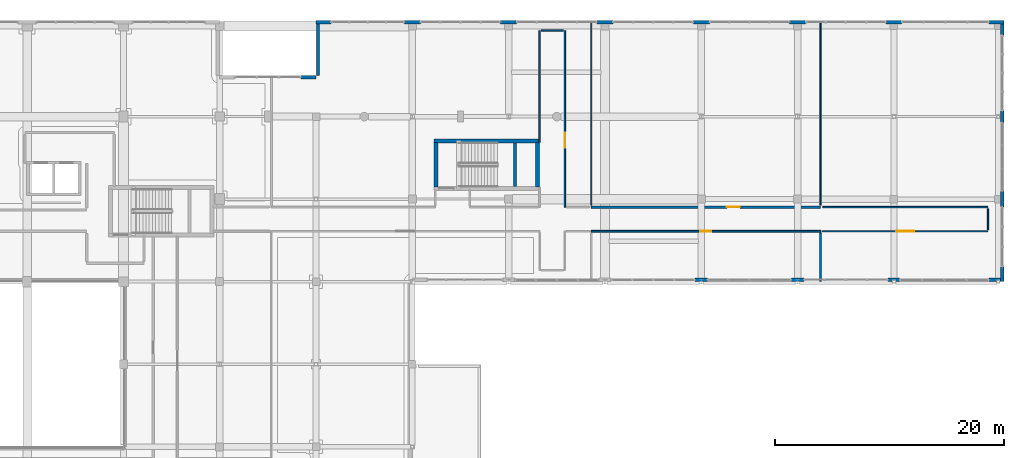
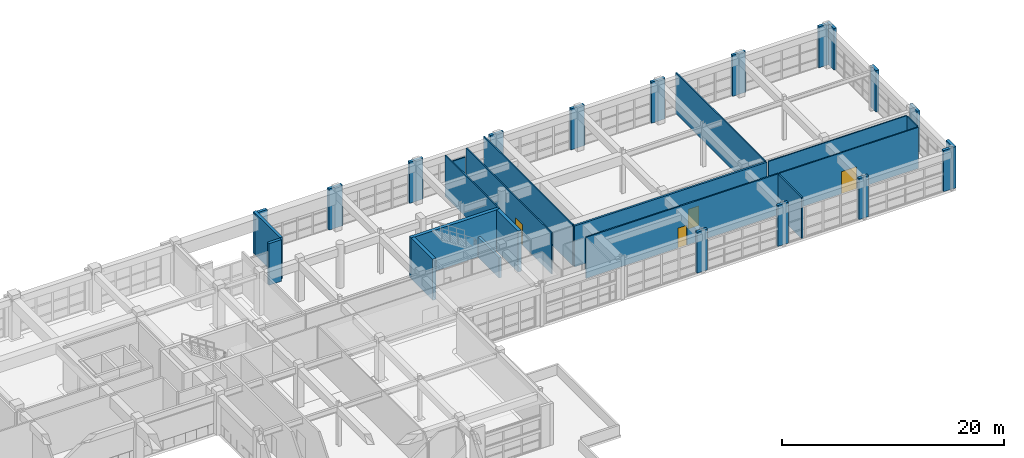
# One storey, part 111 of 123: 33 walls, 4 doors, 4 openings.
"""IFC4 building model written with IfcOpenShell, lengths in metres."""

import ifcopenshell
import ifcopenshell.guid

model = None  # the IFC model being written
_history = None  # IfcOwnerHistory: only IFC2X3 demands one
_inside = {}  # id of a spatial element -> (the spatial element, [elements in it])
_under = {}  # id of a project, library or spatial element -> (it, [spatial elements below it])
_declared = {}  # id of a project -> (the project, [libraries it declares])
_typed = {}  # id of a type object -> (the type object, [elements of that type])
_made_of = {}  # id of a material, layer set ... -> (it, [elements and type objects made of it])


def new_model(schema):
    """Start an empty IFC model of exactly this schema.

    Asked for "IFC4X3", IfcOpenShell would pick the latest addendum, in which some entities
    have other attributes; the version numbers below select the first issue.
    IFC2X3 requires an IfcOwnerHistory on every rooted entity: one is made here for all.
    """
    global model, _history
    if schema == "IFC4X3":
        model = ifcopenshell.file(schema_version=(4, 3, 0, 0))
    else:
        model = ifcopenshell.file(schema=schema)
    _inside.clear()
    _under.clear()
    _declared.clear()
    _typed.clear()
    _made_of.clear()
    _history = None
    if model.schema == "IFC2X3":
        org = make("IfcOrganization", Name="unknown")
        user = make(
            "IfcPersonAndOrganization",
            ThePerson=make("IfcPerson", FamilyName="unknown"),
            TheOrganization=org,
        )
        app = make(
            "IfcApplication",
            ApplicationDeveloper=org,
            Version="unknown",
            ApplicationFullName="unknown",
            ApplicationIdentifier="unknown",
        )
        _history = make(
            "IfcOwnerHistory",
            OwningUser=user,
            OwningApplication=app,
            ChangeAction="ADDED",
            CreationDate=0,
        )
    return model


def make(cls, **values):
    """One entity of the class cls with the attributes given. An attribute that is None is left unset."""
    return model.create_entity(
        cls, **{name: value for name, value in values.items() if value is not None}
    )


def rooted(cls, **values):
    """An entity with a GlobalId (a new one), such as an element, a storey or a relation."""
    return make(cls, GlobalId=ifcopenshell.guid.new(), OwnerHistory=_history, **values)


def si_unit(unit_type, name, prefix=None):
    """IfcSIUnit, for example si_unit("LENGTHUNIT", "METRE", prefix="MILLI")."""
    return make("IfcSIUnit", UnitType=unit_type, Prefix=prefix, Name=name)


def assignment(units):
    """IfcUnitAssignment: the units of a project."""
    return None if units is None else make("IfcUnitAssignment", Units=units)


def point(xyz):
    """IfcCartesianPoint."""
    return None if xyz is None else make("IfcCartesianPoint", Coordinates=xyz)


def direction(xyz):
    """IfcDirection."""
    return None if xyz is None else make("IfcDirection", DirectionRatios=xyz)


def frame(location, z_axis=None, x_axis=None):
    """IfcAxis2Placement3D, a coordinate frame: its origin and axes. An axis left out is left unset."""
    return make(
        "IfcAxis2Placement3D",
        Location=point(location),
        Axis=direction(z_axis),
        RefDirection=direction(x_axis),
    )


def frame_2d(location, x_axis=None):
    """IfcAxis2Placement2D, a coordinate frame in the plane: its origin and x axis."""
    return make(
        "IfcAxis2Placement2D", Location=point(location), RefDirection=direction(x_axis)
    )


def origin():
    """The frame at (0, 0, 0) with its axes left unset."""
    return frame((0.0, 0.0, 0.0))


def place(relative_to, where):
    """IfcLocalPlacement: puts the frame where relative to a parent placement (None: the world)."""
    return make(
        "IfcLocalPlacement", PlacementRelTo=relative_to, RelativePlacement=where
    )


def context(
    kind, dimensions, precision=None, world=None, true_north=None, identifier=None
):
    """IfcGeometricRepresentationContext, for example the 3D "Model" context."""
    return make(
        "IfcGeometricRepresentationContext",
        ContextIdentifier=identifier,
        ContextType=kind,
        CoordinateSpaceDimension=dimensions,
        Precision=precision,
        WorldCoordinateSystem=world,
        TrueNorth=true_north,
    )


def subcontext(parent, identifier, kind, view, scale=None):
    """IfcGeometricRepresentationSubContext, for example "Body" below "Model"."""
    return make(
        "IfcGeometricRepresentationSubContext",
        ContextIdentifier=identifier,
        ContextType=kind,
        ParentContext=parent,
        TargetScale=scale,
        TargetView=view,
    )


def project(units=None, contexts=None):
    """IfcProject with its units and contexts."""
    return rooted(
        "IfcProject",
        Name="project",
        RepresentationContexts=contexts,
        UnitsInContext=assignment(units),
    )


def spatial(cls, under=None, at=None, **own):
    """A site, building, storey or space (cls), placed at a placement, below another one or the project."""
    s = rooted(cls, ObjectPlacement=at, **own)
    if under is not None:
        _under.setdefault(under.id(), (under, []))[1].append(s)
    return s


def profile(cls, at=None, kind="AREA", **sizes):
    """A parametric profile (cls). Its sizes go by their IFC names, for example OverallWidth=200.0."""
    return make(cls, ProfileType=kind, Position=at, **sizes)


def rectangle(**sizes):
    """IfcRectangleProfileDef."""
    return profile("IfcRectangleProfileDef", **sizes)


def extrude(swept, where, along, depth):
    """IfcExtrudedAreaSolid: the profile swept, set in the frame where, extruded along a direction by depth."""
    return make(
        "IfcExtrudedAreaSolid",
        SweptArea=swept,
        Position=where,
        ExtrudedDirection=direction(along),
        Depth=depth,
    )


def shape(context_of_items, identifier, shape_type, items):
    """IfcShapeRepresentation: the items that make up one representation, for example the "Body"."""
    return make(
        "IfcShapeRepresentation",
        ContextOfItems=context_of_items,
        RepresentationIdentifier=identifier,
        RepresentationType=shape_type,
        Items=items,
    )


def material(Name=None, Category=None):
    """IfcMaterial."""
    return make("IfcMaterial", Name=Name, Category=Category)


def layer(
    of_material, thickness, ventilated=None, Name=None, Category=None, Priority=None
):
    """IfcMaterialLayer: one layer of a wall or slab, of a material (None: an air gap)."""
    return make(
        "IfcMaterialLayer",
        Material=of_material,
        LayerThickness=thickness,
        IsVentilated=ventilated,
        Name=Name,
        Category=Category,
        Priority=Priority,
    )


def layer_set(layers, Name=None):
    """IfcMaterialLayerSet."""
    return make("IfcMaterialLayerSet", MaterialLayers=layers, LayerSetName=Name)


def made_of(thing, what):
    """Note that an element or type object is made of a material, layer set ...; save() writes the relation."""
    if what is not None:
        _made_of.setdefault(what.id(), (what, []))[1].append(thing)
    return thing


def type_object(cls, material=None, **own):
    """A type object (cls), such as IfcWallType, which elements share."""
    return made_of(rooted(cls, **own), material)


def element(
    cls,
    number,
    at=None,
    inside=None,
    cuts=None,
    type_object=None,
    material=None,
    context=None,
    identifier="Body",
    shape_type=None,
    held_by="IfcProductDefinitionShape",
    body=None,
    shapes=None,
    **own,
):
    """One element of the class cls, such as IfcWall. Its Tag is "e" and its number.

    at: its placement. inside: the storey or other place that contains it. cuts: it is an
    opening in that element (IfcRelVoidsElement). A single representation is given by context,
    identifier, shape_type and body (its items); several are given by shapes. held_by: the class
    of the entity that holds the representations. save() writes the other relations.
    """
    e = rooted(cls, Tag="e%d" % number, ObjectPlacement=at, **own)
    if body is not None:
        shapes = [shape(context, identifier, shape_type, body)]
    if shapes is not None:
        e.Representation = make(held_by, Representations=shapes)
    if inside is not None:
        _inside.setdefault(inside.id(), (inside, []))[1].append(e)
    if cuts is not None:
        rooted(
            "IfcRelVoidsElement", RelatingBuildingElement=cuts, RelatedOpeningElement=e
        )
    if type_object is not None:
        _typed.setdefault(type_object.id(), (type_object, []))[1].append(e)
    return made_of(e, material)


def fill(opening, filler):
    """IfcRelFillsElement: the door or window that sits in an opening."""
    return rooted(
        "IfcRelFillsElement",
        RelatingOpeningElement=opening,
        RelatedBuildingElement=filler,
    )


def aggregate(whole, parts):
    """IfcRelAggregates: a whole, such as a stair, and the parts it consists of."""
    return rooted("IfcRelAggregates", RelatingObject=whole, RelatedObjects=parts)


def save(model, path):
    """Write the relations noted so far, then the file.

    IfcRelAggregates (storeys below a building ...), IfcRelContainedInSpatialStructure (elements
    in a storey), IfcRelDefinesByType, IfcRelAssociatesMaterial and IfcRelDeclares: one each for
    every whole, place, type object, material and project.
    """
    for whole, parts in _under.values():
        aggregate(whole, parts)
    for where, things in _inside.values():
        rooted(
            "IfcRelContainedInSpatialStructure",
            RelatedElements=things,
            RelatingStructure=where,
        )
    for kind, things in _typed.values():
        rooted("IfcRelDefinesByType", RelatedObjects=things, RelatingType=kind)
    for what, things in _made_of.values():
        rooted("IfcRelAssociatesMaterial", RelatedObjects=things, RelatingMaterial=what)
    for by, libraries in _declared.values():
        rooted("IfcRelDeclares", RelatingContext=by, RelatedDefinitions=libraries)
    model.write(path)


model = new_model("IFC4")

# Units and contexts
model_context = context("Model", 3, precision=1e-05, world=origin(), true_north=direction((0.0, 1.0)))
body_context = subcontext(model_context, "Body", "Model", "MODEL_VIEW")
ifc_project = project(units=[si_unit("LENGTHUNIT", "METRE"), si_unit("AREAUNIT", "SQUARE_METRE"), si_unit("VOLUMEUNIT", "CUBIC_METRE"), si_unit("PLANEANGLEUNIT", "RADIAN"), si_unit("MASSUNIT", "GRAM", prefix="KILO")], contexts=[model_context])

# Site, building, storey
site_placement = place(None, origin())
site = spatial("IfcSite", under=ifc_project, at=site_placement, CompositionType="ELEMENT")
building_placement = place(site_placement, origin())
building = spatial("IfcBuilding", under=site, at=building_placement, Name="Quendrovan Civic Courthouse", CompositionType="ELEMENT")
storey_placement = place(building_placement, frame((0.0, 0.0, 5.39990234375)))
storey = spatial("IfcBuildingStorey", under=building, at=storey_placement, Name="L02", CompositionType="ELEMENT", Elevation=5.39990234375)

# Wall, opening, door
ifc_material_1 = material(Name="Acoustic gypsum stud partition")
ifc_layer_1 = layer(ifc_material_1, 0.139892578125, Name="Acoustic gypsum stud partition")
ifc_layer_set_1 = layer_set([ifc_layer_1], Name="Acoustic gypsum stud partition")
wall_type_1 = type_object("IfcWallType", Name="WL-CHM-140", PredefinedType="PARTITIONING", material=ifc_layer_set_1)
wall_1_placement = place(storey_placement, frame((124.800048828125, 92.0, 0.0), z_axis=(0.0, 0.0, 1.0), x_axis=(1.0, 0.0, 0.0)))
wall_1 = element("IfcWall", 1, at=wall_1_placement, inside=storey, type_object=wall_type_1, Name="L02 Civil Clerk Workroom Partition 0300", PredefinedType="PARTITIONING", context=body_context, shape_type="SweptSolid", body=[
    extrude(rectangle(XDim=20.0, YDim=0.139892578125, at=frame_2d((10.0, 0.0))), origin(), (0.0, 0.0, 1.0), 4.52001953125),
])
opening_1_placement = place(wall_1_placement, frame((9.530029296875, 0.0, 0.0)))
opening_1 = element("IfcOpeningElement", 2, at=opening_1_placement, cuts=wall_1, Name="Opening D-L02-052", PredefinedType="OPENING", context=body_context, shape_type="SweptSolid", body=[
    extrude(rectangle(XDim=0.93994140625, YDim=2.179931640625, at=frame_2d((0.469970703125, 1.08984375))), frame((0.0, 0.080078125, 0.0), z_axis=(0.0, -1.0, 0.0), x_axis=(1.0, 0.0, 0.0)), (0.0, 0.0, 1.0), 0.159912109375),
])
ifc_material_2 = material(Name="Solid core timber office door", Category="wood")
door_type_1 = type_object("IfcDoorType", Name="DR-OFF-940", OperationType="NOTDEFINED", PredefinedType="DOOR", material=ifc_material_2)
door_1_placement = place(opening_1_placement, origin())
door_1 = element("IfcDoor", 3, at=door_1_placement, inside=storey, type_object=door_type_1, Name="L02 Civil Clerk Workroom Door D-L02-052", OperationType="SINGLE_SWING_LEFT", OverallHeight=2.179931640625, OverallWidth=0.93994140625, PredefinedType="DOOR", context=body_context, shape_type="SweptSolid", body=[
    extrude(rectangle(XDim=0.93994140625, YDim=2.179931640625, at=frame_2d((0.469970703125, 1.08984375))), frame((0.0, 0.02490234375, 0.0), z_axis=(0.0, -1.0, 0.0), x_axis=(1.0, 0.0, 0.0)), (0.0, 0.0, 1.0), 0.050048828125),
])
fill(opening_1, door_1)

# Walls
wall_2_placement = place(storey_placement, frame((144.800048828125, 91.85009765625, 0.0), z_axis=(0.0, 0.0, 1.0), x_axis=(0.0, -1.0, 0.0)))
element("IfcWall", 4, at=wall_2_placement, inside=storey, type_object=wall_type_1, Name="L02 Civil Clerk Workroom Partition 0363", PredefinedType="PARTITIONING", context=body_context, shape_type="SweptSolid", body=[
    extrude(rectangle(XDim=4.190185546875, YDim=0.139892578125, at=frame_2d((2.09521484375, 0.0))), origin(), (0.0, 0.0, 1.0), 4.52001953125),
])
ifc_material_3 = material(Name="Concrete C45/55", Category="concrete")
ifc_layer_2 = layer(ifc_material_3, 0.35009765625, Name="Concrete C45/55")
ifc_layer_set_2 = layer_set([ifc_layer_2], Name="Concrete C45/55")
wall_type_2 = type_object("IfcWallType", Name="WL-CORE-350", PredefinedType="SHEAR", material=ifc_layer_set_2)
wall_3_placement = place(storey_placement, frame((120.31005859375, 99.885009765625, 0.0), z_axis=(0.0, 0.0, 1.0), x_axis=(-1.0, 0.0, 0.0)))
element("IfcWall", 5, at=wall_3_placement, inside=storey, type_object=wall_type_2, Name="L02 Core Shear Wall ST6-N", PredefinedType="SHEAR", context=body_context, shape_type="SweptSolid", body=[
    extrude(rectangle(XDim=9.219970703125, YDim=0.35009765625, at=frame_2d((4.60986328125, 0.0))), origin(), (0.0, 0.0, 1.0), 4.52001953125),
])
for number, where, z_axis, x_axis, name in (
    (6, (111.264892578125, 95.85009765625, 0.0), (0.0, 0.0, 1.0), (0.0, 1.0, 0.0), "L02 Core Shear Wall ST6-W"),
    (7, (120.135009765625, 99.75, 0.0), (0.0, 0.0, 1.0), (0.0, -1.0, 0.0), "L02 Core Shear Wall ST6-E"),
):
    element("IfcWall", number, at=place(storey_placement, frame(where, z_axis=z_axis, x_axis=x_axis)), inside=storey, type_object=wall_type_2, Name=name, PredefinedType="SHEAR", context=body_context, shape_type="SweptSolid", body=[
        extrude(rectangle(XDim=3.89990234375, YDim=0.35009765625, at=frame_2d((1.949951171875, 0.0))), origin(), (0.0, 0.0, 1.0), 4.52001953125),
    ])

# Wall, opening, door
ifc_material_4 = material(Name="Concrete C40/50", Category="concrete")
ifc_layer_3 = layer(ifc_material_4, 0.199951171875, Name="Concrete C40/50")
ifc_layer_set_3 = layer_set([ifc_layer_3], Name="Concrete C40/50")
wall_type_3 = type_object("IfcWallType", Name="WL-CUST-200", PredefinedType="PARTITIONING", material=ifc_layer_set_3)
wall_4_placement = place(storey_placement, frame((144.800048828125, 94.10009765625, 0.0), z_axis=(0.0, 0.0, 1.0), x_axis=(-1.0, 0.0, 0.0)))
wall_4 = element("IfcWall", 8, at=wall_4_placement, inside=storey, type_object=wall_type_3, Name="L02 Custody Suite Intake and Attorney Booths Partition 0301", PredefinedType="PARTITIONING", context=body_context, shape_type="SweptSolid", body=[
    extrude(rectangle(XDim=20.0, YDim=0.199951171875, at=frame_2d((10.0, 0.0))), origin(), (0.0, 0.0, 1.0), 4.52001953125),
])
opening_2_placement = place(wall_4_placement, frame((7.0400390625, 0.0, 0.0)))
opening_2 = element("IfcOpeningElement", 9, at=opening_2_placement, cuts=wall_4, Name="Opening D-L02-057", PredefinedType="OPENING", context=body_context, shape_type="SweptSolid", body=[
    extrude(rectangle(XDim=1.1201171875, YDim=2.14990234375, at=frame_2d((0.56005859375, 1.074951171875))), frame((0.0, 0.10986328125, 0.0), z_axis=(0.0, -1.0, 0.0), x_axis=(1.0, 0.0, 0.0)), (0.0, 0.0, 1.0), 0.219970703125),
])
ifc_material_5 = material(Name="Heavy-gauge security steel door", Category="steel")
door_type_2 = type_object("IfcDoorType", Name="DR-CUST-1120", OperationType="NOTDEFINED", PredefinedType="DOOR", material=ifc_material_5)
door_2_placement = place(opening_2_placement, origin())
door_2 = element("IfcDoor", 10, at=door_2_placement, inside=storey, type_object=door_type_2, Name="L02 Custody Suite Intake and Attorney Booths Door D-L02-057", OperationType="SINGLE_SWING_RIGHT", OverallHeight=2.14990234375, OverallWidth=1.1201171875, PredefinedType="DOOR", context=body_context, shape_type="SweptSolid", body=[
    extrude(rectangle(XDim=1.1201171875, YDim=2.14990234375, at=frame_2d((0.56005859375, 1.074951171875))), frame((0.0, 0.02490234375, 0.0), z_axis=(0.0, -1.0, 0.0), x_axis=(1.0, 0.0, 0.0)), (0.0, 0.0, 1.0), 0.050048828125),
])
fill(opening_2, door_2)

# Walls
ifc_material_6 = material(Name="Precast concrete C45/55", Category="concrete")
ifc_layer_4 = layer(ifc_material_6, 0.2900390625, Name="Precast concrete C45/55")
ifc_layer_set_4 = layer_set([ifc_layer_4], Name="Precast concrete C45/55")
wall_type_4 = type_object("IfcWallType", Name="WL-EXT-PC290", PredefinedType="SOLIDWALL", material=ifc_layer_set_4)
wall_5_placement = place(storey_placement, frame((99.5, 105.43505859375, 0.0), z_axis=(0.0, 0.0, 1.0), x_axis=(1.0, 0.0, 0.0)))
element("IfcWall", 11, at=wall_5_placement, inside=storey, type_object=wall_type_4, Name="L02 Exterior Pier Wall 212", PredefinedType="SOLIDWALL", context=body_context, shape_type="SweptSolid", body=[
    extrude(rectangle(XDim=1.300048828125, YDim=0.2900390625, at=frame_2d((0.64990234375, 0.0))), origin(), (0.0, 0.0, 1.0), 4.580078125),
])
wall_6_placement = place(storey_placement, frame((100.965087890625, 105.60009765625, 0.0), z_axis=(0.0, 0.0, 1.0), x_axis=(0.0, 1.0, 0.0)))
element("IfcWall", 12, at=wall_6_placement, inside=storey, type_object=wall_type_4, Name="L02 Exterior Civic Portal Wall 213", PredefinedType="SOLIDWALL", context=body_context, shape_type="SweptSolid", body=[
    extrude(rectangle(XDim=4.7998046875, YDim=0.2900390625, at=frame_2d((2.39990234375, 0.0))), origin(), (0.0, 0.0, 1.0), 4.580078125),
])
wall_7_placement = place(storey_placement, frame((100.800048828125, 110.235107421875, 0.0), z_axis=(0.0, 0.0, 1.0), x_axis=(1.0, 0.0, 0.0)))
element("IfcWall", 13, at=wall_7_placement, inside=storey, type_object=wall_type_4, Name="L02 Exterior Pier Wall 214", PredefinedType="SOLIDWALL", context=body_context, shape_type="SweptSolid", body=[
    extrude(rectangle(XDim=1.300048828125, YDim=0.2900390625, at=frame_2d((0.64990234375, 0.0))), origin(), (0.0, 0.0, 1.0), 4.52001953125),
])
wall_8_placement = place(storey_placement, frame((108.5, 110.235107421875, 0.0), z_axis=(0.0, 0.0, 1.0), x_axis=(1.0, 0.0, 0.0)))
element("IfcWall", 14, at=wall_8_placement, inside=storey, type_object=wall_type_4, Name="L02 Exterior Pier Wall 215", PredefinedType="SOLIDWALL", context=body_context, shape_type="SweptSolid", body=[
    extrude(rectangle(XDim=1.39990234375, YDim=0.2900390625, at=frame_2d((0.699951171875, 0.0))), origin(), (0.0, 0.0, 1.0), 4.52001953125),
])
wall_9_placement = place(storey_placement, frame((116.89990234375, 110.235107421875, 0.0), z_axis=(0.0, 0.0, 1.0), x_axis=(1.0, 0.0, 0.0)))
element("IfcWall", 15, at=wall_9_placement, inside=storey, type_object=wall_type_4, Name="L02 Exterior Pier Wall 216", PredefinedType="SOLIDWALL", context=body_context, shape_type="SweptSolid", body=[
    extrude(rectangle(XDim=1.400146484375, YDim=0.2900390625, at=frame_2d((0.7001953125, 0.0))), origin(), (0.0, 0.0, 1.0), 4.52001953125),
])
wall_10_placement = place(storey_placement, frame((125.300048828125, 110.235107421875, 0.0), z_axis=(0.0, 0.0, 1.0), x_axis=(1.0, 0.0, 0.0)))
element("IfcWall", 16, at=wall_10_placement, inside=storey, type_object=wall_type_4, Name="L02 Exterior Pier Wall 217", PredefinedType="SOLIDWALL", context=body_context, shape_type="SweptSolid", body=[
    extrude(rectangle(XDim=1.39990234375, YDim=0.2900390625, at=frame_2d((0.699951171875, 0.0))), origin(), (0.0, 0.0, 1.0), 4.52001953125),
])
wall_11_placement = place(storey_placement, frame((133.699951171875, 110.235107421875, 0.0), z_axis=(0.0, 0.0, 1.0), x_axis=(1.0, 0.0, 0.0)))
element("IfcWall", 17, at=wall_11_placement, inside=storey, type_object=wall_type_4, Name="L02 Exterior Pier Wall 218", PredefinedType="SOLIDWALL", context=body_context, shape_type="SweptSolid", body=[
    extrude(rectangle(XDim=1.400146484375, YDim=0.2900390625, at=frame_2d((0.7001953125, 0.0))), origin(), (0.0, 0.0, 1.0), 4.52001953125),
])
wall_12_placement = place(storey_placement, frame((142.10009765625, 110.235107421875, 0.0), z_axis=(0.0, 0.0, 1.0), x_axis=(1.0, 0.0, 0.0)))
element("IfcWall", 18, at=wall_12_placement, inside=storey, type_object=wall_type_4, Name="L02 Exterior Pier Wall 219", PredefinedType="SOLIDWALL", context=body_context, shape_type="SweptSolid", body=[
    extrude(rectangle(XDim=1.39990234375, YDim=0.2900390625, at=frame_2d((0.699951171875, 0.0))), origin(), (0.0, 0.0, 1.0), 4.52001953125),
])
wall_13_placement = place(storey_placement, frame((150.52490234375, 110.235107421875, 0.0), z_axis=(0.0, 0.0, 1.0), x_axis=(1.0, 0.0, 0.0)))
element("IfcWall", 19, at=wall_13_placement, inside=storey, type_object=wall_type_4, Name="L02 Exterior Pier Wall 220", PredefinedType="SOLIDWALL", context=body_context, shape_type="SweptSolid", body=[
    extrude(rectangle(XDim=1.35009765625, YDim=0.2900390625, at=frame_2d((0.675048828125, 0.0))), origin(), (0.0, 0.0, 1.0), 4.52001953125),
])
wall_14_placement = place(storey_placement, frame((159.5, 110.235107421875, 0.0), z_axis=(0.0, 0.0, 1.0), x_axis=(1.0, 0.0, 0.0)))
element("IfcWall", 20, at=wall_14_placement, inside=storey, type_object=wall_type_4, Name="L02 Exterior Pier Wall 221", PredefinedType="SOLIDWALL", context=body_context, shape_type="SweptSolid", body=[
    extrude(rectangle(XDim=1.300048828125, YDim=0.2900390625, at=frame_2d((0.64990234375, 0.0))), origin(), (0.0, 0.0, 1.0), 4.52001953125),
])
wall_15_placement = place(storey_placement, frame((160.635009765625, 110.39990234375, 0.0), z_axis=(0.0, 0.0, 1.0), x_axis=(0.0, -1.0, 0.0)))
element("IfcWall", 21, at=wall_15_placement, inside=storey, type_object=wall_type_4, Name="L02 Exterior Pier Wall 222", PredefinedType="SOLIDWALL", context=body_context, shape_type="SweptSolid", body=[
    extrude(rectangle(XDim=1.2998046875, YDim=0.2900390625, at=frame_2d((0.64990234375, 0.0))), origin(), (0.0, 0.0, 1.0), 4.56005859375),
])
wall_16_placement = place(storey_placement, frame((160.635009765625, 102.5, 0.0), z_axis=(0.0, 0.0, 1.0), x_axis=(0.0, -1.0, 0.0)))
element("IfcWall", 22, at=wall_16_placement, inside=storey, type_object=wall_type_4, Name="L02 Exterior Pier Wall 223", PredefinedType="SOLIDWALL", context=body_context, shape_type="SweptSolid", body=[
    extrude(rectangle(XDim=1.0, YDim=0.2900390625, at=frame_2d((0.5, 0.0))), origin(), (0.0, 0.0, 1.0), 4.56005859375),
])
wall_17_placement = place(storey_placement, frame((160.635009765625, 95.47509765625, 0.0), z_axis=(0.0, 0.0, 1.0), x_axis=(0.0, -1.0, 0.0)))
element("IfcWall", 23, at=wall_17_placement, inside=storey, type_object=wall_type_4, Name="L02 Exterior Pier Wall 224", PredefinedType="SOLIDWALL", context=body_context, shape_type="SweptSolid", body=[
    extrude(rectangle(XDim=1.35009765625, YDim=0.2900390625, at=frame_2d((0.675048828125, 0.0))), origin(), (0.0, 0.0, 1.0), 4.56005859375),
])
wall_18_placement = place(storey_placement, frame((160.635009765625, 88.89990234375, 0.0), z_axis=(0.0, 0.0, 1.0), x_axis=(0.0, -1.0, 0.0)))
element("IfcWall", 24, at=wall_18_placement, inside=storey, type_object=wall_type_4, Name="L02 Exterior Pier Wall 225", PredefinedType="SOLIDWALL", context=body_context, shape_type="SweptSolid", body=[
    extrude(rectangle(XDim=1.2998046875, YDim=0.2900390625, at=frame_2d((0.64990234375, 0.0))), origin(), (0.0, 0.0, 1.0), 4.56005859375),
])
wall_19_placement = place(storey_placement, frame((160.800048828125, 87.764892578125, 0.0), z_axis=(0.0, 0.0, 1.0), x_axis=(-1.0, 0.0, 0.0)))
element("IfcWall", 25, at=wall_19_placement, inside=storey, type_object=wall_type_4, Name="L02 Exterior Pier Wall 226", PredefinedType="SOLIDWALL", context=body_context, shape_type="SweptSolid", body=[
    extrude(rectangle(XDim=1.300048828125, YDim=0.2900390625, at=frame_2d((0.64990234375, 0.0))), origin(), (0.0, 0.0, 1.0), 4.52001953125),
])
wall_20_placement = place(storey_placement, frame((151.699951171875, 87.764892578125, 0.0), z_axis=(0.0, 0.0, 1.0), x_axis=(-1.0, 0.0, 0.0)))
element("IfcWall", 26, at=wall_20_placement, inside=storey, type_object=wall_type_4, Name="L02 Exterior Pier Wall 227", PredefinedType="SOLIDWALL", context=body_context, shape_type="SweptSolid", body=[
    extrude(rectangle(XDim=1.0, YDim=0.2900390625, at=frame_2d((0.5, 0.0))), origin(), (0.0, 0.0, 1.0), 4.52001953125),
])
for number, where, z_axis, x_axis, name in (
    (27, (143.3369140625, 87.764892578125, 0.0), (0.0, 0.0, 1.0), (-1.0, 0.0, 0.0), "L02 Exterior Pier Wall 228"),
    (28, (134.93701171875, 87.764892578125, 0.0), (0.0, 0.0, 1.0), (-1.0, 0.0, 0.0), "L02 Exterior Pier Wall 229"),
):
    element("IfcWall", number, at=place(storey_placement, frame(where, z_axis=z_axis, x_axis=x_axis)), inside=storey, type_object=wall_type_4, Name=name, PredefinedType="SOLIDWALL", context=body_context, shape_type="SweptSolid", body=[
        extrude(rectangle(XDim=1.073974609375, YDim=0.2900390625, at=frame_2d((0.537109375, 0.0))), origin(), (0.0, 0.0, 1.0), 4.52001953125),
    ])
ifc_material_7 = material(Name="Acoustic glazed-head stud partition")
ifc_layer_5 = layer(ifc_material_7, 0.1201171875, Name="Acoustic glazed-head stud partition")
ifc_layer_set_5 = layer_set([ifc_layer_5], Name="Acoustic glazed-head stud partition")
wall_type_5 = type_object("IfcWallType", Name="WL-LIB-120", PredefinedType="PARTITIONING", material=ifc_layer_set_5)
for number, where, z_axis, x_axis, name in (
    (29, (144.800048828125, 94.280029296875, 0.0), (0.0, 0.0, 1.0), (0.0, 1.0, 0.0), "L02 Law Library Open Book Stacks Partition 0315"),
    (30, (124.800048828125, 110.340087890625, 0.0), (0.0, 0.0, 1.0), (0.0, -1.0, 0.0), "L02 Constitutional Records Archive Partition 0316"),
):
    element("IfcWall", number, at=place(storey_placement, frame(where, z_axis=z_axis, x_axis=x_axis)), inside=storey, type_object=wall_type_5, Name=name, PredefinedType="PARTITIONING", context=body_context, shape_type="SweptSolid", body=[
        extrude(rectangle(XDim=16.06005859375, YDim=0.1201171875, at=frame_2d((8.030029296875, 0.0))), origin(), (0.0, 0.0, 1.0), 4.52001953125),
    ])

# Wall, opening, door
wall_21_placement = place(storey_placement, frame((122.5, 94.10009765625, 0.0), z_axis=(0.0, 0.0, 1.0), x_axis=(0.0, 1.0, 0.0)))
wall_21 = element("IfcWall", 31, at=wall_21_placement, inside=storey, type_object=wall_type_5, Name="L02 Constitutional Records Archive Partition 0317", PredefinedType="PARTITIONING", context=body_context, shape_type="SweptSolid", body=[
    extrude(rectangle(XDim=15.39990234375, YDim=0.1201171875, at=frame_2d((7.699951171875, 0.0))), origin(), (0.0, 0.0, 1.0), 4.52001953125),
])
opening_3_placement = place(wall_21_placement, frame((5.19189453125, 0.0, 0.0)))
opening_3 = element("IfcOpeningElement", 32, at=opening_3_placement, cuts=wall_21, Name="Opening D-L02-056", PredefinedType="OPENING", context=body_context, shape_type="SweptSolid", body=[
    extrude(rectangle(XDim=1.320068359375, YDim=2.239990234375, at=frame_2d((0.66015625, 1.1201171875))), frame((0.0, 0.070068359375, 0.0), z_axis=(0.0, -1.0, 0.0), x_axis=(1.0, 0.0, 0.0)), (0.0, 0.0, 1.0), 0.14013671875),
])
ifc_material_8 = material(Name="Painted fire-rated steel archive door", Category="steel")
door_type_3 = type_object("IfcDoorType", Name="DR-ARC-1320", OperationType="NOTDEFINED", PredefinedType="DOOR", material=ifc_material_8)
door_3_placement = place(opening_3_placement, origin())
door_3 = element("IfcDoor", 33, at=door_3_placement, inside=storey, type_object=door_type_3, Name="L02 Constitutional Records Archive Door D-L02-056", OperationType="SINGLE_SWING_LEFT", OverallHeight=2.239990234375, OverallWidth=1.320068359375, PredefinedType="DOOR", context=body_context, shape_type="SweptSolid", body=[
    extrude(rectangle(XDim=1.320068359375, YDim=2.239990234375, at=frame_2d((0.66015625, 1.1201171875))), frame((0.0, 0.02490234375, 0.0), z_axis=(0.0, -1.0, 0.0), x_axis=(1.0, 0.0, 0.0)), (0.0, 0.0, 1.0), 0.050048828125),
])
fill(opening_3, door_3)

# Wall
wall_22_placement = place(storey_placement, frame((120.300048828125, 109.5, 0.0), z_axis=(0.0, 0.0, 1.0), x_axis=(0.0, -1.0, 0.0)))
element("IfcWall", 34, at=wall_22_placement, inside=storey, type_object=wall_type_5, Name="L02 Constitutional Records Archive Partition 0318", PredefinedType="PARTITIONING", context=body_context, shape_type="SweptSolid", body=[
    extrude(rectangle(XDim=9.75, YDim=0.1201171875, at=frame_2d((4.875, 0.0))), origin(), (0.0, 0.0, 1.0), 4.52001953125),
])

# Wall, opening, door
wall_23_placement = place(storey_placement, frame((144.949951171875, 92.0, 0.0), z_axis=(0.0, 0.0, 1.0), x_axis=(1.0, 0.0, 0.0)))
wall_23 = element("IfcWall", 35, at=wall_23_placement, inside=storey, type_object=wall_type_5, Name="L02 Law Library Open Book Stacks Partition 0323", PredefinedType="PARTITIONING", context=body_context, shape_type="SweptSolid", body=[
    extrude(rectangle(XDim=14.449951171875, YDim=0.1201171875, at=frame_2d((7.22509765625, 0.0))), origin(), (0.0, 0.0, 1.0), 4.52001953125),
])
opening_4_placement = place(wall_23_placement, frame((6.445068359375, 0.0, 0.0)))
opening_4 = element("IfcOpeningElement", 36, at=opening_4_placement, cuts=wall_23, Name="Opening D-L02-053", PredefinedType="OPENING", context=body_context, shape_type="SweptSolid", body=[
    extrude(rectangle(XDim=1.56005859375, YDim=2.43994140625, at=frame_2d((0.780029296875, 1.219970703125))), frame((0.0, 0.070068359375, 0.0), z_axis=(0.0, -1.0, 0.0), x_axis=(1.0, 0.0, 0.0)), (0.0, 0.0, 1.0), 0.14013671875),
])
ifc_material_9 = material(Name="Bronze-anodised aluminium acoustic glass door", Category="aluminium")
door_type_4 = type_object("IfcDoorType", Name="DR-LIB-1560", OperationType="NOTDEFINED", PredefinedType="DOOR", material=ifc_material_9)
door_4_placement = place(opening_4_placement, origin())
door_4 = element("IfcDoor", 37, at=door_4_placement, inside=storey, type_object=door_type_4, Name="L02 Law Library Open Book Stacks Door D-L02-053", OperationType="SINGLE_SWING_RIGHT", OverallHeight=2.43994140625, OverallWidth=1.56005859375, PredefinedType="DOOR", context=body_context, shape_type="SweptSolid", body=[
    extrude(rectangle(XDim=1.56005859375, YDim=2.43994140625, at=frame_2d((0.780029296875, 1.219970703125))), frame((0.0, 0.02490234375, 0.0), z_axis=(0.0, -1.0, 0.0), x_axis=(1.0, 0.0, 0.0)), (0.0, 0.0, 1.0), 0.050048828125),
])
fill(opening_4, door_4)

# Walls
wall_24_placement = place(storey_placement, frame((159.39990234375, 94.10009765625, 0.0), z_axis=(0.0, 0.0, 1.0), x_axis=(-1.0, 0.0, 0.0)))
element("IfcWall", 38, at=wall_24_placement, inside=storey, type_object=wall_type_5, Name="L02 Law Library Open Book Stacks Partition 0324", PredefinedType="PARTITIONING", context=body_context, shape_type="SweptSolid", body=[
    extrude(rectangle(XDim=14.419921875, YDim=0.1201171875, at=frame_2d((7.2099609375, 0.0))), origin(), (0.0, 0.0, 1.0), 4.52001953125),
])
wall_25_placement = place(storey_placement, frame((122.360107421875, 109.5, 0.0), z_axis=(0.0, 0.0, 1.0), x_axis=(-1.0, 0.0, 0.0)))
element("IfcWall", 39, at=wall_25_placement, inside=storey, type_object=wall_type_5, Name="L02 Constitutional Records Archive Partition 0399", PredefinedType="PARTITIONING", context=body_context, shape_type="SweptSolid", body=[
    extrude(rectangle(XDim=1.920166015625, YDim=0.1201171875, at=frame_2d((0.9599609375, 0.0))), origin(), (0.0, 0.0, 1.0), 3.60009765625),
])
wall_26_placement = place(storey_placement, frame((159.39990234375, 92.139892578125, 0.0), z_axis=(0.0, 0.0, 1.0), x_axis=(0.0, 1.0, 0.0)))
element("IfcWall", 40, at=wall_26_placement, inside=storey, type_object=wall_type_5, Name="L02 Law Library Open Book Stacks Partition 0406", PredefinedType="PARTITIONING", context=body_context, shape_type="SweptSolid", body=[
    extrude(rectangle(XDim=1.820068359375, YDim=0.1201171875, at=frame_2d((0.91015625, 0.0))), origin(), (0.0, 0.0, 1.0), 4.52001953125),
])
ifc_layer_6 = layer(ifc_material_3, 0.25, Name="Concrete C45/55")
ifc_layer_set_6 = layer_set([ifc_layer_6], Name="Concrete C45/55")
wall_type_6 = type_object("IfcWallType", Name="WL-SHAFT-250", PredefinedType="SHEAR", material=ifc_layer_set_6)
wall_27_placement = place(storey_placement, frame((118.14990234375, 95.89990234375, 0.0), z_axis=(0.0, 0.0, 1.0), x_axis=(0.0, 1.0, 0.0)))
element("IfcWall", 41, at=wall_27_placement, inside=storey, type_object=wall_type_6, Name="L02 Stair ST6 Mid-Landing Bearing Wall", PredefinedType="SHEAR", context=body_context, shape_type="SweptSolid", body=[
    extrude(rectangle(XDim=3.800048828125, YDim=0.25, at=frame_2d((1.89990234375, 0.0))), origin(), (0.0, 0.0, 1.0), 2.22021484375),
])

save(model, "model.ifc")
